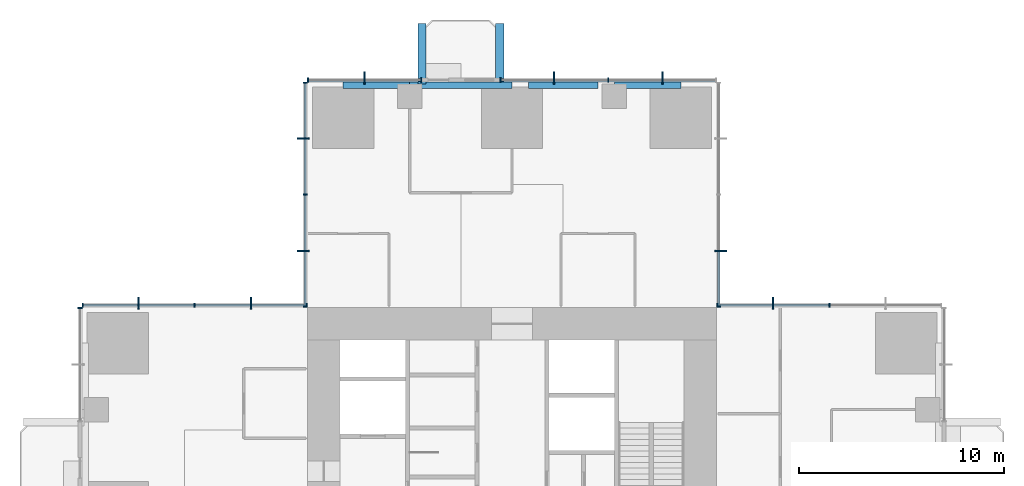
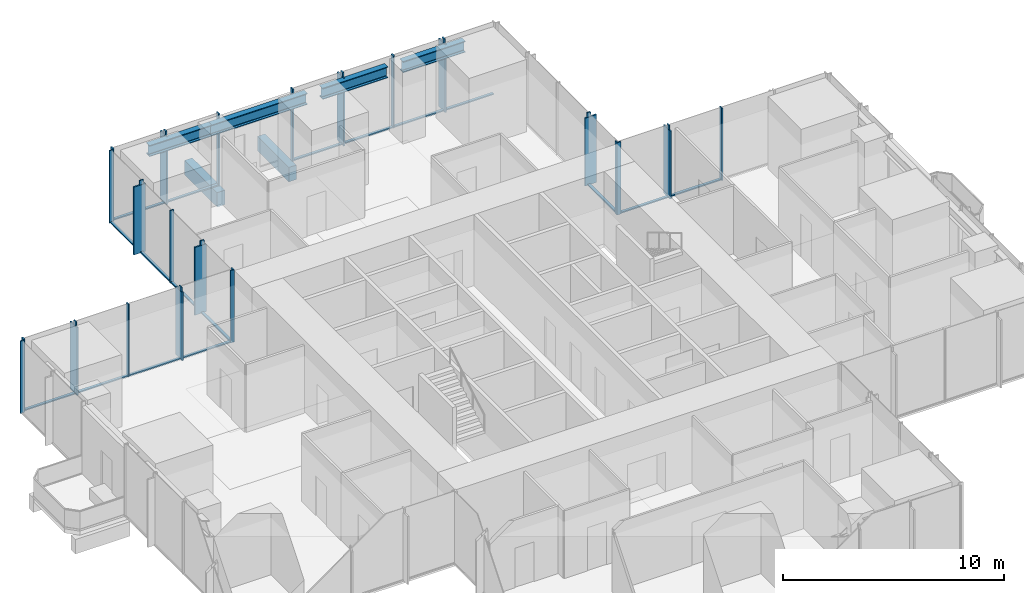
# One storey, part 5 of 13: 49 members, 6 beams, 7 elements without a shape of their own.
"""IFC4 building model written with IfcOpenShell, lengths in metres."""

from ifc_helpers import new_model, si_unit, direction, frame, origin, origin_2d, place, context, subcontext, project, spatial, rectangle, i_section, extrude, material, material_profile, profile_set, type_object, element, aggregate, save


model = new_model("IFC4")

# Units and contexts
model_context = context("Model", 3, precision=1e-05, world=origin(), true_north=direction((0.0, 1.0)))
body_context = subcontext(model_context, "Body", "Model", "MODEL_VIEW")
ifc_project = project(units=[si_unit("LENGTHUNIT", "METRE"), si_unit("AREAUNIT", "SQUARE_METRE"), si_unit("VOLUMEUNIT", "CUBIC_METRE"), si_unit("PLANEANGLEUNIT", "RADIAN"), si_unit("MASSUNIT", "GRAM", prefix="KILO")], contexts=[model_context])

# Site, building, storey
site_placement = place(None, origin())
site = spatial("IfcSite", under=ifc_project, at=site_placement, CompositionType="ELEMENT")
building_placement = place(site_placement, origin())
building = spatial("IfcBuilding", under=site, at=building_placement, Name="Svetlomir Tower", CompositionType="ELEMENT")
storey_placement = place(building_placement, frame((0.0, 0.0, 100.5)))
storey = spatial("IfcBuildingStorey", under=building, at=storey_placement, Name="L23", CompositionType="ELEMENT", Elevation=100.5)

# Beams
ifc_material_1 = material(Name="Concrete C60/75", Category="concrete")
ifc_material_profile_1 = material_profile(ifc_material_1, rectangle(XDim=0.39990234375, YDim=0.800048828125, at=origin_2d()), Name="RC 400x800")
ifc_profile_set_1 = profile_set([ifc_material_profile_1], Name="Concrete C60/75")
beam_type_1 = type_object("IfcBeamType", Name="BALCONY RIB RC 400x800", PredefinedType="BEAM", material=ifc_profile_set_1)
beam_1_placement = place(storey_placement, frame((16.60009765625, 41.89990234375, -0.64990234375), z_axis=(0.0, 1.0, 0.0), x_axis=(-1.0, 0.0, 0.0)))
element("IfcBeam", 1, at=beam_1_placement, inside=storey, type_object=beam_type_1, Name="Balcony rib N 1 L23", PredefinedType="BEAM", context=body_context, shape_type="SweptSolid", body=[
    extrude(rectangle(XDim=0.39990234375, YDim=0.800048828125, at=origin_2d()), origin(), (0.0, 0.0, 1.0), 2.9501953125),
])
beam_2_placement = place(storey_placement, frame((20.39990234375, 42.0, -0.64990234375), z_axis=(0.0, 1.0, 0.0), x_axis=(-1.0, 0.0, 0.0)))
element("IfcBeam", 2, at=beam_2_placement, inside=storey, type_object=beam_type_1, Name="Balcony rib N 2 L23", PredefinedType="BEAM", context=body_context, shape_type="SweptSolid", body=[
    extrude(rectangle(XDim=0.39990234375, YDim=0.800048828125, at=origin_2d()), origin(), (0.0, 0.0, 1.0), 2.85009765625),
])

# Curtain wall, member
ifc_material_2 = material(Name="Bronze anodised aluminium curtain wall", Category="aluminium")
curtain_wall_type = type_object("IfcCurtainWallType", Name="CURTAIN WALL CW1 TOWER OFFICE", PredefinedType="NOTDEFINED", material=ifc_material_2)
curtain_wall_1_placement = place(storey_placement, origin())
curtain_wall_1 = element("IfcCurtainWall", 3, at=curtain_wall_1_placement, inside=storey, type_object=curtain_wall_type, Name="Curtain wall CW1 L23", PredefinedType="NOTDEFINED")
ifc_material_3 = material(Name="Bronze anodised aluminium", Category="aluminium")
ifc_material_profile_2 = material_profile(ifc_material_3, rectangle(XDim=0.080078125, YDim=0.60009765625, at=origin_2d()), Name="FIN 80x600")
ifc_profile_set_2 = profile_set([ifc_material_profile_2], Name="Bronze anodised aluminium 6063-T6")
member_type_1 = type_object("IfcMemberType", Name="BRONZE FIN 80x600", PredefinedType="USERDEFINED", material=ifc_profile_set_2)
member_1_placement = place(storey_placement, frame((33.75, 31.199951171875, 0.0), z_axis=(0.0, 0.0, 1.0), x_axis=(1.0, 0.0, 0.0)))
member_1 = element("IfcMember", 4, at=member_1_placement, type_object=member_type_1, Name="Bronze fin L23", ObjectType="FIN", PredefinedType="USERDEFINED", context=body_context, shape_type="SweptSolid", body=[
    extrude(rectangle(XDim=0.080078125, YDim=0.60009765625, at=origin_2d()), origin(), (0.0, 0.0, 1.0), 3.75),
])

curtain_wall_2_placement = place(storey_placement, origin())
curtain_wall_2 = element("IfcCurtainWall", 5, at=curtain_wall_2_placement, inside=storey, type_object=curtain_wall_type, Name="Curtain wall CW1 L23", PredefinedType="NOTDEFINED")
member_2_placement = place(storey_placement, frame((31.199951171875, 33.75, 0.0), z_axis=(0.0, 0.0, 1.0), x_axis=(0.0, 1.0, 0.0)))
member_2 = element("IfcMember", 6, at=member_2_placement, type_object=member_type_1, Name="Bronze fin L23", ObjectType="FIN", PredefinedType="USERDEFINED", context=body_context, shape_type="SweptSolid", body=[
    extrude(rectangle(XDim=0.080078125, YDim=0.60009765625, at=origin_2d()), origin(), (0.0, 0.0, 1.0), 3.75),
])

# Curtain wall, members
curtain_wall_3_placement = place(storey_placement, origin())
curtain_wall_3 = element("IfcCurtainWall", 7, at=curtain_wall_3_placement, inside=storey, type_object=curtain_wall_type, Name="Curtain wall CW1 L23", PredefinedType="NOTDEFINED")
member_3_placement = place(storey_placement, frame((28.35009765625, 42.199951171875, 0.0), z_axis=(0.0, 0.0, 1.0), x_axis=(1.0, 0.0, 0.0)))
member_3 = element("IfcMember", 8, at=member_3_placement, type_object=member_type_1, Name="Bronze fin L23", ObjectType="FIN", PredefinedType="USERDEFINED", context=body_context, shape_type="SweptSolid", body=[
    extrude(rectangle(XDim=0.080078125, YDim=0.60009765625, at=origin_2d()), origin(), (0.0, 0.0, 1.0), 3.75),
])
member_4_placement = place(storey_placement, frame((23.050048828125, 42.199951171875, 0.0), z_axis=(0.0, 0.0, 1.0), x_axis=(1.0, 0.0, 0.0)))
member_4 = element("IfcMember", 9, at=member_4_placement, type_object=member_type_1, Name="Bronze fin L23", ObjectType="FIN", PredefinedType="USERDEFINED", context=body_context, shape_type="SweptSolid", body=[
    extrude(rectangle(XDim=0.080078125, YDim=0.60009765625, at=origin_2d()), origin(), (0.0, 0.0, 1.0), 3.75),
])

# Curtain wall, member
curtain_wall_4_placement = place(storey_placement, origin())
curtain_wall_4 = element("IfcCurtainWall", 10, at=curtain_wall_4_placement, inside=storey, type_object=curtain_wall_type, Name="Curtain wall CW1 L23", PredefinedType="NOTDEFINED")
member_5_placement = place(storey_placement, frame((13.800048828125, 42.199951171875, 0.0), z_axis=(0.0, 0.0, 1.0), x_axis=(1.0, 0.0, 0.0)))
member_5 = element("IfcMember", 11, at=member_5_placement, type_object=member_type_1, Name="Bronze fin L23", ObjectType="FIN", PredefinedType="USERDEFINED", context=body_context, shape_type="SweptSolid", body=[
    extrude(rectangle(XDim=0.080078125, YDim=0.60009765625, at=origin_2d()), origin(), (0.0, 0.0, 1.0), 3.75),
])

# Curtain wall, members
curtain_wall_5_placement = place(storey_placement, origin())
curtain_wall_5 = element("IfcCurtainWall", 12, at=curtain_wall_5_placement, inside=storey, type_object=curtain_wall_type, Name="Curtain wall CW1 L23", PredefinedType="NOTDEFINED")
member_6_placement = place(storey_placement, frame((10.800048828125, 39.25, 0.0), z_axis=(0.0, 0.0, 1.0), x_axis=(0.0, 1.0, 0.0)))
member_6 = element("IfcMember", 13, at=member_6_placement, type_object=member_type_1, Name="Bronze fin L23", ObjectType="FIN", PredefinedType="USERDEFINED", context=body_context, shape_type="SweptSolid", body=[
    extrude(rectangle(XDim=0.080078125, YDim=0.60009765625, at=origin_2d()), origin(), (0.0, 0.0, 1.0), 3.75),
])
member_7_placement = place(storey_placement, frame((10.800048828125, 33.75, 0.0), z_axis=(0.0, 0.0, 1.0), x_axis=(0.0, 1.0, 0.0)))
member_7 = element("IfcMember", 14, at=member_7_placement, type_object=member_type_1, Name="Bronze fin L23", ObjectType="FIN", PredefinedType="USERDEFINED", context=body_context, shape_type="SweptSolid", body=[
    extrude(rectangle(XDim=0.080078125, YDim=0.60009765625, at=origin_2d()), origin(), (0.0, 0.0, 1.0), 3.75),
])

curtain_wall_6_placement = place(storey_placement, origin())
curtain_wall_6 = element("IfcCurtainWall", 15, at=curtain_wall_6_placement, inside=storey, type_object=curtain_wall_type, Name="Curtain wall CW1 L23", PredefinedType="NOTDEFINED")
member_8_placement = place(storey_placement, frame((8.25, 31.199951171875, 0.0), z_axis=(0.0, 0.0, 1.0), x_axis=(1.0, 0.0, 0.0)))
member_8 = element("IfcMember", 16, at=member_8_placement, type_object=member_type_1, Name="Bronze fin L23", ObjectType="FIN", PredefinedType="USERDEFINED", context=body_context, shape_type="SweptSolid", body=[
    extrude(rectangle(XDim=0.080078125, YDim=0.60009765625, at=origin_2d()), origin(), (0.0, 0.0, 1.0), 3.75),
])
member_9_placement = place(storey_placement, frame((2.75, 31.199951171875, 0.0), z_axis=(0.0, 0.0, 1.0), x_axis=(1.0, 0.0, 0.0)))
member_9 = element("IfcMember", 17, at=member_9_placement, type_object=member_type_1, Name="Bronze fin L23", ObjectType="FIN", PredefinedType="USERDEFINED", context=body_context, shape_type="SweptSolid", body=[
    extrude(rectangle(XDim=0.080078125, YDim=0.60009765625, at=origin_2d()), origin(), (0.0, 0.0, 1.0), 3.75),
])

# Member
ifc_material_4 = material(Name="Bronze anodised aluminium", Category="aluminium")
ifc_material_profile_3 = material_profile(ifc_material_4, rectangle(XDim=0.06494140625, YDim=0.199951171875, at=origin_2d()), Name="AL 65x200")
ifc_profile_set_3 = profile_set([ifc_material_profile_3], Name="Bronze anodised aluminium 6063-T6")
member_type_2 = type_object("IfcMemberType", Name="CW1 MULLION 65x200", PredefinedType="MULLION", material=ifc_profile_set_3)
member_10_placement = place(storey_placement, frame((36.5, 31.10009765625, 0.0), z_axis=(0.0, 0.0, 1.0), x_axis=(-1.0, 0.0, 0.0)))
member_10 = element("IfcMember", 18, at=member_10_placement, type_object=member_type_2, Name="CW1 mullion 3", PredefinedType="MULLION", context=body_context, shape_type="SweptSolid", body=[
    extrude(rectangle(XDim=0.06494140625, YDim=0.199951171875, at=origin_2d()), origin(), (0.0, 0.0, 1.0), 4.0),
])

member_11_placement = place(storey_placement, frame((33.75, 31.10009765625, 0.0), z_axis=(0.0, 0.0, 1.0), x_axis=(-1.0, 0.0, 0.0)))
member_11 = element("IfcMember", 19, at=member_11_placement, type_object=member_type_2, Name="CW1 mullion 4", PredefinedType="MULLION", context=body_context, shape_type="SweptSolid", body=[
    extrude(rectangle(XDim=0.06494140625, YDim=0.199951171875, at=origin_2d()), origin(), (0.0, 0.0, 1.0), 4.0),
])

member_12_placement = place(storey_placement, frame((31.032470703125, 31.10009765625, 0.0), z_axis=(0.0, 0.0, 1.0), x_axis=(-1.0, 0.0, 0.0)))
member_12 = element("IfcMember", 20, at=member_12_placement, type_object=member_type_2, Name="CW1 mullion 5", PredefinedType="MULLION", context=body_context, shape_type="SweptSolid", body=[
    extrude(rectangle(XDim=0.06494140625, YDim=0.199951171875, at=origin_2d()), origin(), (0.0, 0.0, 1.0), 4.0),
])

member_13_placement = place(storey_placement, frame((31.10009765625, 31.032470703125, 0.0), z_axis=(0.0, 0.0, 1.0), x_axis=(0.0, 1.0, 0.0)))
member_13 = element("IfcMember", 21, at=member_13_placement, type_object=member_type_2, Name="CW1 mullion 1", PredefinedType="MULLION", context=body_context, shape_type="SweptSolid", body=[
    extrude(rectangle(XDim=0.06494140625, YDim=0.199951171875, at=origin_2d()), origin(), (0.0, 0.0, 1.0), 4.0),
])

member_14_placement = place(storey_placement, frame((31.10009765625, 33.75, 0.0), z_axis=(0.0, 0.0, 1.0), x_axis=(0.0, 1.0, 0.0)))
member_14 = element("IfcMember", 22, at=member_14_placement, type_object=member_type_2, Name="CW1 mullion 2", PredefinedType="MULLION", context=body_context, shape_type="SweptSolid", body=[
    extrude(rectangle(XDim=0.06494140625, YDim=0.199951171875, at=origin_2d()), origin(), (0.0, 0.0, 1.0), 4.0),
])

member_15_placement = place(storey_placement, frame((28.35009765625, 42.10009765625, 0.0), z_axis=(0.0, 0.0, 1.0), x_axis=(-1.0, 0.0, 0.0)))
member_15 = element("IfcMember", 23, at=member_15_placement, type_object=member_type_2, Name="CW1 mullion 2", PredefinedType="MULLION", context=body_context, shape_type="SweptSolid", body=[
    extrude(rectangle(XDim=0.06494140625, YDim=0.199951171875, at=origin_2d()), origin(), (0.0, 0.0, 1.0), 4.0),
])

member_16_placement = place(storey_placement, frame((25.699951171875, 42.10009765625, 0.0), z_axis=(0.0, 0.0, 1.0), x_axis=(-1.0, 0.0, 0.0)))
member_16 = element("IfcMember", 24, at=member_16_placement, type_object=member_type_2, Name="CW1 mullion 3", PredefinedType="MULLION", context=body_context, shape_type="SweptSolid", body=[
    extrude(rectangle(XDim=0.06494140625, YDim=0.199951171875, at=origin_2d()), origin(), (0.0, 0.0, 1.0), 4.0),
])

member_17_placement = place(storey_placement, frame((23.050048828125, 42.10009765625, 0.0), z_axis=(0.0, 0.0, 1.0), x_axis=(-1.0, 0.0, 0.0)))
member_17 = element("IfcMember", 25, at=member_17_placement, type_object=member_type_2, Name="CW1 mullion 4", PredefinedType="MULLION", context=body_context, shape_type="SweptSolid", body=[
    extrude(rectangle(XDim=0.06494140625, YDim=0.199951171875, at=origin_2d()), origin(), (0.0, 0.0, 1.0), 4.0),
])

member_18_placement = place(storey_placement, frame((20.4326171875, 42.10009765625, 0.0), z_axis=(0.0, 0.0, 1.0), x_axis=(-1.0, 0.0, 0.0)))
member_18 = element("IfcMember", 26, at=member_18_placement, type_object=member_type_2, Name="CW1 mullion 5", PredefinedType="MULLION", context=body_context, shape_type="SweptSolid", body=[
    extrude(rectangle(XDim=0.06494140625, YDim=0.199951171875, at=origin_2d()), origin(), (0.0, 0.0, 1.0), 4.0),
])

member_19_placement = place(storey_placement, frame((16.5673828125, 42.10009765625, 0.0), z_axis=(0.0, 0.0, 1.0), x_axis=(-1.0, 0.0, 0.0)))
member_19 = element("IfcMember", 27, at=member_19_placement, type_object=member_type_2, Name="CW1 mullion 1", PredefinedType="MULLION", context=body_context, shape_type="SweptSolid", body=[
    extrude(rectangle(XDim=0.06494140625, YDim=0.199951171875, at=origin_2d()), origin(), (0.0, 0.0, 1.0), 4.0),
])

member_20_placement = place(storey_placement, frame((13.800048828125, 42.10009765625, 0.0), z_axis=(0.0, 0.0, 1.0), x_axis=(-1.0, 0.0, 0.0)))
member_20 = element("IfcMember", 28, at=member_20_placement, type_object=member_type_2, Name="CW1 mullion 2", PredefinedType="MULLION", context=body_context, shape_type="SweptSolid", body=[
    extrude(rectangle(XDim=0.06494140625, YDim=0.199951171875, at=origin_2d()), origin(), (0.0, 0.0, 1.0), 4.0),
])

member_21_placement = place(storey_placement, frame((11.032470703125, 42.10009765625, 0.0), z_axis=(0.0, 0.0, 1.0), x_axis=(-1.0, 0.0, 0.0)))
member_21 = element("IfcMember", 29, at=member_21_placement, type_object=member_type_2, Name="CW1 mullion 3", PredefinedType="MULLION", context=body_context, shape_type="SweptSolid", body=[
    extrude(rectangle(XDim=0.06494140625, YDim=0.199951171875, at=origin_2d()), origin(), (0.0, 0.0, 1.0), 4.0),
])

member_22_placement = place(storey_placement, frame((10.89990234375, 41.967529296875, 0.0), z_axis=(0.0, 0.0, 1.0), x_axis=(0.0, -1.0, 0.0)))
member_22 = element("IfcMember", 30, at=member_22_placement, type_object=member_type_2, Name="CW1 mullion 1", PredefinedType="MULLION", context=body_context, shape_type="SweptSolid", body=[
    extrude(rectangle(XDim=0.06494140625, YDim=0.199951171875, at=origin_2d()), origin(), (0.0, 0.0, 1.0), 4.0),
])

member_23_placement = place(storey_placement, frame((10.89990234375, 39.25, 0.0), z_axis=(0.0, 0.0, 1.0), x_axis=(0.0, -1.0, 0.0)))
member_23 = element("IfcMember", 31, at=member_23_placement, type_object=member_type_2, Name="CW1 mullion 2", PredefinedType="MULLION", context=body_context, shape_type="SweptSolid", body=[
    extrude(rectangle(XDim=0.06494140625, YDim=0.199951171875, at=origin_2d()), origin(), (0.0, 0.0, 1.0), 4.0),
])

member_24_placement = place(storey_placement, frame((10.89990234375, 36.5, 0.0), z_axis=(0.0, 0.0, 1.0), x_axis=(0.0, -1.0, 0.0)))
member_24 = element("IfcMember", 32, at=member_24_placement, type_object=member_type_2, Name="CW1 mullion 3", PredefinedType="MULLION", context=body_context, shape_type="SweptSolid", body=[
    extrude(rectangle(XDim=0.06494140625, YDim=0.199951171875, at=origin_2d()), origin(), (0.0, 0.0, 1.0), 4.0),
])

member_25_placement = place(storey_placement, frame((10.89990234375, 33.75, 0.0), z_axis=(0.0, 0.0, 1.0), x_axis=(0.0, -1.0, 0.0)))
member_25 = element("IfcMember", 33, at=member_25_placement, type_object=member_type_2, Name="CW1 mullion 4", PredefinedType="MULLION", context=body_context, shape_type="SweptSolid", body=[
    extrude(rectangle(XDim=0.06494140625, YDim=0.199951171875, at=origin_2d()), origin(), (0.0, 0.0, 1.0), 4.0),
])

member_26_placement = place(storey_placement, frame((10.89990234375, 31.032470703125, 0.0), z_axis=(0.0, 0.0, 1.0), x_axis=(0.0, -1.0, 0.0)))
member_26 = element("IfcMember", 34, at=member_26_placement, type_object=member_type_2, Name="CW1 mullion 5", PredefinedType="MULLION", context=body_context, shape_type="SweptSolid", body=[
    extrude(rectangle(XDim=0.06494140625, YDim=0.199951171875, at=origin_2d()), origin(), (0.0, 0.0, 1.0), 4.0),
])

member_27_placement = place(storey_placement, frame((10.967529296875, 31.10009765625, 0.0), z_axis=(0.0, 0.0, 1.0), x_axis=(-1.0, 0.0, 0.0)))
member_27 = element("IfcMember", 35, at=member_27_placement, type_object=member_type_2, Name="CW1 mullion 1", PredefinedType="MULLION", context=body_context, shape_type="SweptSolid", body=[
    extrude(rectangle(XDim=0.06494140625, YDim=0.199951171875, at=origin_2d()), origin(), (0.0, 0.0, 1.0), 4.0),
])

member_28_placement = place(storey_placement, frame((8.25, 31.10009765625, 0.0), z_axis=(0.0, 0.0, 1.0), x_axis=(-1.0, 0.0, 0.0)))
member_28 = element("IfcMember", 36, at=member_28_placement, type_object=member_type_2, Name="CW1 mullion 2", PredefinedType="MULLION", context=body_context, shape_type="SweptSolid", body=[
    extrude(rectangle(XDim=0.06494140625, YDim=0.199951171875, at=origin_2d()), origin(), (0.0, 0.0, 1.0), 4.0),
])

member_29_placement = place(storey_placement, frame((5.5, 31.10009765625, 0.0), z_axis=(0.0, 0.0, 1.0), x_axis=(-1.0, 0.0, 0.0)))
member_29 = element("IfcMember", 37, at=member_29_placement, type_object=member_type_2, Name="CW1 mullion 3", PredefinedType="MULLION", context=body_context, shape_type="SweptSolid", body=[
    extrude(rectangle(XDim=0.06494140625, YDim=0.199951171875, at=origin_2d()), origin(), (0.0, 0.0, 1.0), 4.0),
])

member_30_placement = place(storey_placement, frame((2.75, 31.10009765625, 0.0), z_axis=(0.0, 0.0, 1.0), x_axis=(-1.0, 0.0, 0.0)))
member_30 = element("IfcMember", 38, at=member_30_placement, type_object=member_type_2, Name="CW1 mullion 4", PredefinedType="MULLION", context=body_context, shape_type="SweptSolid", body=[
    extrude(rectangle(XDim=0.06494140625, YDim=0.199951171875, at=origin_2d()), origin(), (0.0, 0.0, 1.0), 4.0),
])

member_31_placement = place(storey_placement, frame((0.032470703125, 31.10009765625, 0.0), z_axis=(0.0, 0.0, 1.0), x_axis=(-1.0, 0.0, 0.0)))
member_31 = element("IfcMember", 39, at=member_31_placement, type_object=member_type_2, Name="CW1 mullion 5", PredefinedType="MULLION", context=body_context, shape_type="SweptSolid", body=[
    extrude(rectangle(XDim=0.06494140625, YDim=0.199951171875, at=origin_2d()), origin(), (0.0, 0.0, 1.0), 4.0),
])

# Curtain wall, member
curtain_wall_7_placement = place(storey_placement, origin())
curtain_wall_7 = element("IfcCurtainWall", 40, at=curtain_wall_7_placement, inside=storey, type_object=curtain_wall_type, Name="Curtain wall CW1 L23", PredefinedType="NOTDEFINED")
member_32_placement = place(storey_placement, frame((-0.10009765625, 30.967529296875, 0.0), z_axis=(0.0, 0.0, 1.0), x_axis=(0.0, -1.0, 0.0)))
member_32 = element("IfcMember", 41, at=member_32_placement, type_object=member_type_2, Name="CW1 mullion 1", PredefinedType="MULLION", context=body_context, shape_type="SweptSolid", body=[
    extrude(rectangle(XDim=0.06494140625, YDim=0.199951171875, at=origin_2d()), origin(), (0.0, 0.0, 1.0), 4.0),
])
aggregate(curtain_wall_7, [member_32])

# Member
ifc_material_5 = material(Name="Bronze anodised aluminium", Category="aluminium")
ifc_material_profile_4 = material_profile(ifc_material_5, rectangle(XDim=0.139892578125, YDim=0.06494140625, at=origin_2d()), Name="AL 140x65")
ifc_profile_set_4 = profile_set([ifc_material_profile_4], Name="Bronze anodised aluminium 6063-T6")
member_type_3 = type_object("IfcMemberType", Name="CW1 TRANSOM 65x140", PredefinedType="USERDEFINED", material=ifc_profile_set_4)
member_33_placement = place(storey_placement, frame((36.467529296875, 31.10009765625, 0.032470703125), z_axis=(-1.0, 0.0, 0.0), x_axis=(0.0, -1.0, 0.0)))
member_33 = element("IfcMember", 42, at=member_33_placement, type_object=member_type_3, Name="CW1 transom 3.1", ObjectType="TRANSOM", PredefinedType="USERDEFINED", context=body_context, shape_type="SweptSolid", body=[
    extrude(rectangle(XDim=0.139892578125, YDim=0.06494140625, at=origin_2d()), origin(), (0.0, 0.0, 1.0), 2.68505859375),
])

member_34_placement = place(storey_placement, frame((33.717529296875, 31.10009765625, 0.032470703125), z_axis=(-1.0, 0.0, 0.0), x_axis=(0.0, -1.0, 0.0)))
member_34 = element("IfcMember", 43, at=member_34_placement, type_object=member_type_3, Name="CW1 transom 4.1", ObjectType="TRANSOM", PredefinedType="USERDEFINED", context=body_context, shape_type="SweptSolid", body=[
    extrude(rectangle(XDim=0.139892578125, YDim=0.06494140625, at=origin_2d()), origin(), (0.0, 0.0, 1.0), 2.652587890625),
])

aggregate(curtain_wall_1, [member_10, member_11, member_12, member_33, member_34, member_1])

member_35_placement = place(storey_placement, frame((31.10009765625, 31.06494140625, 0.032470703125), z_axis=(0.0, 1.0, 0.0), x_axis=(-1.0, 0.0, 0.0)))
member_35 = element("IfcMember", 44, at=member_35_placement, type_object=member_type_3, Name="CW1 transom 1.1", ObjectType="TRANSOM", PredefinedType="USERDEFINED", context=body_context, shape_type="SweptSolid", body=[
    extrude(rectangle(XDim=0.139892578125, YDim=0.06494140625, at=origin_2d()), origin(), (0.0, 0.0, 1.0), 2.652587890625),
])

aggregate(curtain_wall_2, [member_13, member_14, member_35, member_2])

member_36_placement = place(storey_placement, frame((30.93505859375, 42.10009765625, 0.032470703125), z_axis=(-1.0, 0.0, 0.0), x_axis=(0.0, -1.0, 0.0)))
member_36 = element("IfcMember", 45, at=member_36_placement, type_object=member_type_3, Name="CW1 transom 1.1", ObjectType="TRANSOM", PredefinedType="USERDEFINED", context=body_context, shape_type="SweptSolid", body=[
    extrude(rectangle(XDim=0.139892578125, YDim=0.06494140625, at=origin_2d()), origin(), (0.0, 0.0, 1.0), 2.552490234375),
])

member_37_placement = place(storey_placement, frame((28.3173828125, 42.10009765625, 0.032470703125), z_axis=(-1.0, 0.0, 0.0), x_axis=(0.0, -1.0, 0.0)))
member_37 = element("IfcMember", 46, at=member_37_placement, type_object=member_type_3, Name="CW1 transom 2.1", ObjectType="TRANSOM", PredefinedType="USERDEFINED", context=body_context, shape_type="SweptSolid", body=[
    extrude(rectangle(XDim=0.139892578125, YDim=0.06494140625, at=origin_2d()), origin(), (0.0, 0.0, 1.0), 2.5849609375),
])

member_38_placement = place(storey_placement, frame((25.66748046875, 42.10009765625, 0.032470703125), z_axis=(-1.0, 0.0, 0.0), x_axis=(0.0, -1.0, 0.0)))
member_38 = element("IfcMember", 47, at=member_38_placement, type_object=member_type_3, Name="CW1 transom 3.1", ObjectType="TRANSOM", PredefinedType="USERDEFINED", context=body_context, shape_type="SweptSolid", body=[
    extrude(rectangle(XDim=0.139892578125, YDim=0.06494140625, at=origin_2d()), origin(), (0.0, 0.0, 1.0), 2.5849609375),
])

member_39_placement = place(storey_placement, frame((23.017578125, 42.10009765625, 0.032470703125), z_axis=(-1.0, 0.0, 0.0), x_axis=(0.0, -1.0, 0.0)))
member_39 = element("IfcMember", 48, at=member_39_placement, type_object=member_type_3, Name="CW1 transom 4.1", ObjectType="TRANSOM", PredefinedType="USERDEFINED", context=body_context, shape_type="SweptSolid", body=[
    extrude(rectangle(XDim=0.139892578125, YDim=0.06494140625, at=origin_2d()), origin(), (0.0, 0.0, 1.0), 2.552490234375),
])

aggregate(curtain_wall_3, [member_15, member_16, member_17, member_18, member_36, member_37, member_38, member_39, member_3, member_4])

member_40_placement = place(storey_placement, frame((16.534912109375, 42.10009765625, 0.032470703125), z_axis=(-1.0, 0.0, 0.0), x_axis=(0.0, -1.0, 0.0)))
member_40 = element("IfcMember", 49, at=member_40_placement, type_object=member_type_3, Name="CW1 transom 1.1", ObjectType="TRANSOM", PredefinedType="USERDEFINED", context=body_context, shape_type="SweptSolid", body=[
    extrude(rectangle(XDim=0.139892578125, YDim=0.06494140625, at=origin_2d()), origin(), (0.0, 0.0, 1.0), 2.702392578125),
])

member_41_placement = place(storey_placement, frame((13.767578125, 42.10009765625, 0.032470703125), z_axis=(-1.0, 0.0, 0.0), x_axis=(0.0, -1.0, 0.0)))
member_41 = element("IfcMember", 50, at=member_41_placement, type_object=member_type_3, Name="CW1 transom 2.1", ObjectType="TRANSOM", PredefinedType="USERDEFINED", context=body_context, shape_type="SweptSolid", body=[
    extrude(rectangle(XDim=0.139892578125, YDim=0.06494140625, at=origin_2d()), origin(), (0.0, 0.0, 1.0), 2.70263671875),
])

aggregate(curtain_wall_4, [member_19, member_20, member_21, member_40, member_41, member_5])

member_42_placement = place(storey_placement, frame((10.89990234375, 41.93505859375, 0.032470703125), z_axis=(0.0, -1.0, 0.0), x_axis=(1.0, 0.0, 0.0)))
member_42 = element("IfcMember", 51, at=member_42_placement, type_object=member_type_3, Name="CW1 transom 1.1", ObjectType="TRANSOM", PredefinedType="USERDEFINED", context=body_context, shape_type="SweptSolid", body=[
    extrude(rectangle(XDim=0.139892578125, YDim=0.06494140625, at=origin_2d()), origin(), (0.0, 0.0, 1.0), 2.652587890625),
])

member_43_placement = place(storey_placement, frame((10.89990234375, 39.217529296875, 0.032470703125), z_axis=(0.0, -1.0, 0.0), x_axis=(1.0, 0.0, 0.0)))
member_43 = element("IfcMember", 52, at=member_43_placement, type_object=member_type_3, Name="CW1 transom 2.1", ObjectType="TRANSOM", PredefinedType="USERDEFINED", context=body_context, shape_type="SweptSolid", body=[
    extrude(rectangle(XDim=0.139892578125, YDim=0.06494140625, at=origin_2d()), origin(), (0.0, 0.0, 1.0), 2.68505859375),
])

member_44_placement = place(storey_placement, frame((10.89990234375, 36.467529296875, 0.032470703125), z_axis=(0.0, -1.0, 0.0), x_axis=(1.0, 0.0, 0.0)))
member_44 = element("IfcMember", 53, at=member_44_placement, type_object=member_type_3, Name="CW1 transom 3.1", ObjectType="TRANSOM", PredefinedType="USERDEFINED", context=body_context, shape_type="SweptSolid", body=[
    extrude(rectangle(XDim=0.139892578125, YDim=0.06494140625, at=origin_2d()), origin(), (0.0, 0.0, 1.0), 2.68505859375),
])

member_45_placement = place(storey_placement, frame((10.89990234375, 33.717529296875, 0.032470703125), z_axis=(0.0, -1.0, 0.0), x_axis=(1.0, 0.0, 0.0)))
member_45 = element("IfcMember", 54, at=member_45_placement, type_object=member_type_3, Name="CW1 transom 4.1", ObjectType="TRANSOM", PredefinedType="USERDEFINED", context=body_context, shape_type="SweptSolid", body=[
    extrude(rectangle(XDim=0.139892578125, YDim=0.06494140625, at=origin_2d()), origin(), (0.0, 0.0, 1.0), 2.652587890625),
])

aggregate(curtain_wall_5, [member_22, member_23, member_24, member_25, member_26, member_42, member_43, member_44, member_45, member_6, member_7])

member_46_placement = place(storey_placement, frame((10.93505859375, 31.10009765625, 0.032470703125), z_axis=(-1.0, 0.0, 0.0), x_axis=(0.0, -1.0, 0.0)))
member_46 = element("IfcMember", 55, at=member_46_placement, type_object=member_type_3, Name="CW1 transom 1.1", ObjectType="TRANSOM", PredefinedType="USERDEFINED", context=body_context, shape_type="SweptSolid", body=[
    extrude(rectangle(XDim=0.139892578125, YDim=0.06494140625, at=origin_2d()), origin(), (0.0, 0.0, 1.0), 2.652587890625),
])

member_47_placement = place(storey_placement, frame((8.217529296875, 31.10009765625, 0.032470703125), z_axis=(-1.0, 0.0, 0.0), x_axis=(0.0, -1.0, 0.0)))
member_47 = element("IfcMember", 56, at=member_47_placement, type_object=member_type_3, Name="CW1 transom 2.1", ObjectType="TRANSOM", PredefinedType="USERDEFINED", context=body_context, shape_type="SweptSolid", body=[
    extrude(rectangle(XDim=0.139892578125, YDim=0.06494140625, at=origin_2d()), origin(), (0.0, 0.0, 1.0), 2.68505859375),
])

member_48_placement = place(storey_placement, frame((5.467529296875, 31.10009765625, 0.032470703125), z_axis=(-1.0, 0.0, 0.0), x_axis=(0.0, -1.0, 0.0)))
member_48 = element("IfcMember", 57, at=member_48_placement, type_object=member_type_3, Name="CW1 transom 3.1", ObjectType="TRANSOM", PredefinedType="USERDEFINED", context=body_context, shape_type="SweptSolid", body=[
    extrude(rectangle(XDim=0.139892578125, YDim=0.06494140625, at=origin_2d()), origin(), (0.0, 0.0, 1.0), 2.68505859375),
])

member_49_placement = place(storey_placement, frame((2.717529296875, 31.10009765625, 0.032470703125), z_axis=(-1.0, 0.0, 0.0), x_axis=(0.0, -1.0, 0.0)))
member_49 = element("IfcMember", 58, at=member_49_placement, type_object=member_type_3, Name="CW1 transom 4.1", ObjectType="TRANSOM", PredefinedType="USERDEFINED", context=body_context, shape_type="SweptSolid", body=[
    extrude(rectangle(XDim=0.139892578125, YDim=0.06494140625, at=origin_2d()), origin(), (0.0, 0.0, 1.0), 2.652587890625),
])

aggregate(curtain_wall_6, [member_27, member_28, member_29, member_30, member_31, member_46, member_47, member_48, member_49, member_8, member_9])

# Beams
ifc_material_6 = material(Name="Steel S355", Category="steel")
ifc_material_profile_5 = material_profile(ifc_material_6, i_section(OverallWidth=0.304931640625, OverallDepth=0.6201171875, WebThickness=0.02099609375, FlangeThickness=0.0400390625, FilletRadius=0.027099609375, at=origin_2d()), Name="HEM 600")
ifc_profile_set_5 = profile_set([ifc_material_profile_5], Name="Steel S355")
beam_type_2 = type_object("IfcBeamType", Name="EDGE BEAM HEM 600", PredefinedType="SPANDREL", material=ifc_profile_set_5)
beam_3_placement = place(storey_placement, frame((12.75, 41.847412109375, 3.43994140625), z_axis=(1.0, 0.0, 0.0), x_axis=(0.0, 1.0, 0.0)))
element("IfcBeam", 59, at=beam_3_placement, inside=storey, type_object=beam_type_2, Name="Edge beam 11/42 to 16/42 under L24", PredefinedType="SPANDREL", context=body_context, shape_type="SweptSolid", body=[
    extrude(i_section(OverallWidth=0.304931640625, OverallDepth=0.6201171875, WebThickness=0.02099609375, FlangeThickness=0.0400390625, FilletRadius=0.027099609375, at=origin_2d()), origin(), (0.0, 0.0, 1.0), 3.25),
])
beam_4_placement = place(storey_placement, frame((16.0, 41.847412109375, 3.43994140625), z_axis=(1.0, 0.0, 0.0), x_axis=(0.0, 1.0, 0.0)))
element("IfcBeam", 60, at=beam_4_placement, inside=storey, type_object=beam_type_2, Name="Edge beam 16/42 to 21/42 under L24", PredefinedType="SPANDREL", context=body_context, shape_type="SweptSolid", body=[
    extrude(i_section(OverallWidth=0.304931640625, OverallDepth=0.6201171875, WebThickness=0.02099609375, FlangeThickness=0.0400390625, FilletRadius=0.027099609375, at=origin_2d()), origin(), (0.0, 0.0, 1.0), 5.0),
])
beam_5_placement = place(storey_placement, frame((21.800048828125, 41.847412109375, 3.43994140625), z_axis=(1.0, 0.0, 0.0), x_axis=(0.0, 1.0, 0.0)))
element("IfcBeam", 61, at=beam_5_placement, inside=storey, type_object=beam_type_2, Name="Edge beam 21/42 to 26/42 under L24", PredefinedType="SPANDREL", context=body_context, shape_type="SweptSolid", body=[
    extrude(i_section(OverallWidth=0.304931640625, OverallDepth=0.6201171875, WebThickness=0.02099609375, FlangeThickness=0.0400390625, FilletRadius=0.027099609375, at=origin_2d()), origin(), (0.0, 0.0, 1.0), 3.39990234375),
])
beam_6_placement = place(storey_placement, frame((26.0, 41.847412109375, 3.43994140625), z_axis=(1.0, 0.0, 0.0), x_axis=(0.0, 1.0, 0.0)))
element("IfcBeam", 62, at=beam_6_placement, inside=storey, type_object=beam_type_2, Name="Edge beam 26/42 to 31/42 under L24", PredefinedType="SPANDREL", context=body_context, shape_type="SweptSolid", body=[
    extrude(i_section(OverallWidth=0.304931640625, OverallDepth=0.6201171875, WebThickness=0.02099609375, FlangeThickness=0.0400390625, FilletRadius=0.027099609375, at=origin_2d()), origin(), (0.0, 0.0, 1.0), 3.25),
])

save(model, "model.ifc")
